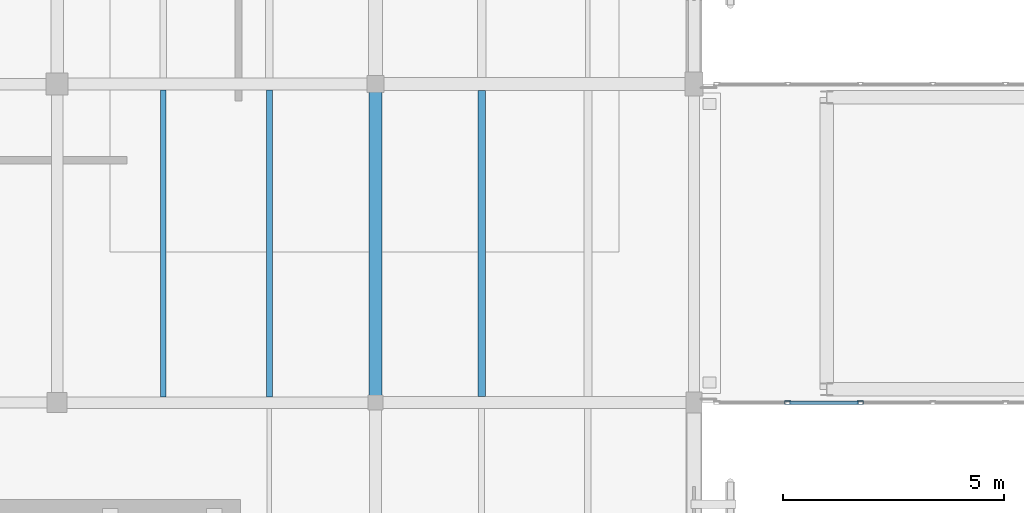
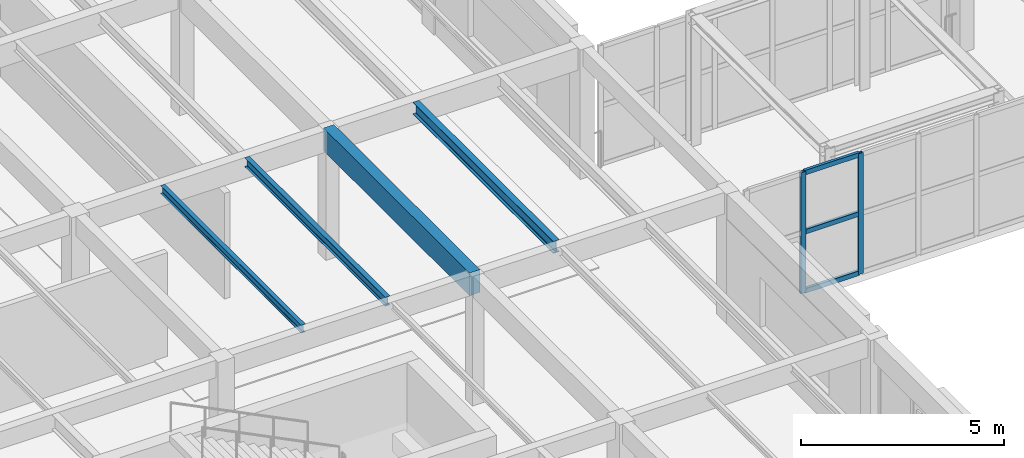
# One storey, part 20 of 217: 5 members, 4 beams, 1 element without a shape of its own.
"""IFC4 building model written with IfcOpenShell, lengths in metres."""

from ifc_helpers import new_model, si_unit, direction, frame, origin, origin_2d, place, context, subcontext, project, spatial, rectangle, hollow_rectangle, i_section, extrude, material, layer, layer_set, material_profile, profile_set, type_object, element, aggregate, save


model = new_model("IFC4")

# Units and contexts
model_context = context("Model", 3, precision=1e-05, world=origin(), true_north=direction((0.0, 1.0)))
body_context = subcontext(model_context, "Body", "Model", "MODEL_VIEW")
ifc_project = project(units=[si_unit("LENGTHUNIT", "METRE"), si_unit("AREAUNIT", "SQUARE_METRE"), si_unit("VOLUMEUNIT", "CUBIC_METRE"), si_unit("PLANEANGLEUNIT", "RADIAN"), si_unit("MASSUNIT", "GRAM", prefix="KILO")], contexts=[model_context])

# Site, building, storey
site_placement = place(None, origin())
site = spatial("IfcSite", under=ifc_project, at=site_placement, CompositionType="ELEMENT")
building_placement = place(site_placement, origin())
building = spatial("IfcBuilding", under=site, at=building_placement, Name="Mazaris Harbour Polytechnic", CompositionType="ELEMENT")
storey_placement = place(building_placement, frame((0.0, 0.0, 9.60009765625)))
storey = spatial("IfcBuildingStorey", under=building, at=storey_placement, Name="L02", CompositionType="ELEMENT", Elevation=9.60009765625)

# Curtain wall, members
ifc_material_1 = material(Name="Anodised Bronze Aluminium and Low-E Glass", Category="aluminium")
ifc_layer = layer(ifc_material_1, 0.139892578125, Name="Anodised Bronze Aluminium and Low-E Glass")
ifc_layer_set = layer_set([ifc_layer], Name="Anodised Bronze Aluminium and Low-E Glass")
curtain_wall_type = type_object("IfcCurtainWallType", Name="Seismic Link Bridge Glazing", PredefinedType="NOTDEFINED", material=ifc_layer_set)
curtain_wall_placement = place(storey_placement, origin())
curtain_wall = element("IfcCurtainWall", 1, at=curtain_wall_placement, inside=storey, type_object=curtain_wall_type, Name="PB-W1 L02 Bridge Glazing", PredefinedType="NOTDEFINED")
ifc_material_2 = material(Name="Anodised Bronze Steel S355", Category="steel")
ifc_material_profile_1 = material_profile(ifc_material_2, hollow_rectangle(XDim=0.080078125, YDim=0.139892578125, WallThickness=0.00634765625, at=origin_2d()), Name="RHS 80x140x6.3")
ifc_profile_set_1 = profile_set([ifc_material_profile_1], Name="Anodised Bronze Steel S355")
member_type_1 = type_object("IfcMemberType", Name="Curtain Mullion RHS80x140", PredefinedType="MULLION", material=ifc_profile_set_1)
member_1_placement = place(storey_placement, frame((45.320068359375, 21.60009765625, 0.0), z_axis=(0.0, 0.0, 1.0), x_axis=(0.0, 1.0, 0.0)))
member_1 = element("IfcMember", 2, at=member_1_placement, type_object=member_type_1, Name="CW-05 mullion 2", PredefinedType="MULLION", context=body_context, shape_type="SweptSolid", body=[
    extrude(hollow_rectangle(XDim=0.080078125, YDim=0.139892578125, WallThickness=0.00634765625, at=origin_2d()), origin(), (0.0, 0.0, 1.0), 3.635009765625),
])
member_2_placement = place(storey_placement, frame((46.9599609375, 21.60009765625, 0.0), z_axis=(0.0, 0.0, 1.0), x_axis=(0.0, 1.0, 0.0)))
member_2 = element("IfcMember", 3, at=member_2_placement, type_object=member_type_1, Name="CW-05 mullion 3", PredefinedType="MULLION", context=body_context, shape_type="SweptSolid", body=[
    extrude(hollow_rectangle(XDim=0.080078125, YDim=0.139892578125, WallThickness=0.00634765625, at=origin_2d()), origin(), (0.0, 0.0, 1.0), 3.635009765625),
])
ifc_material_3 = material(Name="Anodised Bronze Steel S355", Category="steel")
ifc_material_profile_2 = material_profile(ifc_material_3, hollow_rectangle(XDim=0.080078125, YDim=0.139892578125, WallThickness=0.00634765625, at=origin_2d()), Name="RHS 80x140x6.3")
ifc_profile_set_2 = profile_set([ifc_material_profile_2], Name="Anodised Bronze Steel S355")
member_type_2 = type_object("IfcMemberType", Name="Curtain Transom RHS80x140", PredefinedType="USERDEFINED", material=ifc_profile_set_2)
member_3_placement = place(storey_placement, frame((45.360107421875, 21.60009765625, 0.039794921875), z_axis=(1.0, 0.0, 0.0), x_axis=(0.0, 1.0, 0.0)))
member_3 = element("IfcMember", 4, at=member_3_placement, type_object=member_type_2, Name="CW-05 transom 2.1", ObjectType="TRANSOM", PredefinedType="USERDEFINED", context=body_context, shape_type="SweptSolid", body=[
    extrude(hollow_rectangle(XDim=0.080078125, YDim=0.139892578125, WallThickness=0.00634765625, at=origin_2d()), origin(), (0.0, 0.0, 1.0), 1.559814453125),
])
member_4_placement = place(storey_placement, frame((45.360107421875, 21.60009765625, 1.8173828125), z_axis=(1.0, 0.0, 0.0), x_axis=(0.0, 1.0, 0.0)))
member_4 = element("IfcMember", 5, at=member_4_placement, type_object=member_type_2, Name="CW-05 transom 2.2", ObjectType="TRANSOM", PredefinedType="USERDEFINED", context=body_context, shape_type="SweptSolid", body=[
    extrude(hollow_rectangle(XDim=0.080078125, YDim=0.139892578125, WallThickness=0.00634765625, at=origin_2d()), origin(), (0.0, 0.0, 1.0), 1.559814453125),
])
member_5_placement = place(storey_placement, frame((45.360107421875, 21.60009765625, 3.594970703125), z_axis=(1.0, 0.0, 0.0), x_axis=(0.0, 1.0, 0.0)))
member_5 = element("IfcMember", 6, at=member_5_placement, type_object=member_type_2, Name="CW-05 transom 2.3", ObjectType="TRANSOM", PredefinedType="USERDEFINED", context=body_context, shape_type="SweptSolid", body=[
    extrude(hollow_rectangle(XDim=0.080078125, YDim=0.139892578125, WallThickness=0.00634765625, at=origin_2d()), origin(), (0.0, 0.0, 1.0), 1.559814453125),
])
aggregate(curtain_wall, [member_1, member_2, member_3, member_4, member_5])

# Beams
ifc_material_4 = material(Name="Glulam GL32h", Category="wood")
ifc_material_profile_3 = material_profile(ifc_material_4, rectangle(XDim=0.300048828125, YDim=0.679931640625, at=origin_2d()), Name="RECT300x680")
ifc_profile_set_3 = profile_set([ifc_material_profile_3], Name="Glulam GL32h")
beam_type_1 = type_object("IfcBeamType", Name="Glulam Girder 300x680", PredefinedType="BEAM", material=ifc_profile_set_3)
beam_1_placement = place(storey_placement, frame((36.0, 21.60009765625, 3.5498046875), z_axis=(0.0, 1.0, 0.0), x_axis=(-1.0, 0.0, 0.0)))
element("IfcBeam", 7, at=beam_1_placement, inside=storey, type_object=beam_type_1, Name="V4 L02 Tie Girder 2023", PredefinedType="BEAM", context=body_context, shape_type="SweptSolid", body=[
    extrude(rectangle(XDim=0.300048828125, YDim=0.679931640625, at=origin_2d()), origin(), (0.0, 0.0, 1.0), 7.199951171875),
])
ifc_material_5 = material(Name="Steel S355", Category="steel")
ifc_material_profile_4 = material_profile(ifc_material_5, i_section(OverallWidth=0.1201171875, OverallDepth=0.239990234375, WebThickness=0.006103515625, FlangeThickness=0.009765625, FilletRadius=0.014892578125, at=origin_2d()), Name="IPE 240")
ifc_profile_set_4 = profile_set([ifc_material_profile_4], Name="Steel S355")
beam_type_2 = type_object("IfcBeamType", Name="Steel Joist IPE240", PredefinedType="JOIST", material=ifc_profile_set_4)
beam_2_placement = place(storey_placement, frame((31.199951171875, 21.72998046875, 3.77001953125), z_axis=(0.0, 1.0, 0.0), x_axis=(-1.0, 0.0, 0.0)))
element("IfcBeam", 8, at=beam_2_placement, inside=storey, type_object=beam_type_2, Name="V4 L02 Floor Joist 2122", PredefinedType="JOIST", context=body_context, shape_type="SweptSolid", body=[
    extrude(i_section(OverallWidth=0.1201171875, OverallDepth=0.239990234375, WebThickness=0.006103515625, FlangeThickness=0.009765625, FilletRadius=0.014892578125, at=origin_2d()), origin(), (0.0, 0.0, 1.0), 6.929931640625),
])
ifc_material_6 = material(Name="Steel S355", Category="steel")
ifc_material_profile_5 = material_profile(ifc_material_6, i_section(OverallWidth=0.135009765625, OverallDepth=0.27001953125, WebThickness=0.006591796875, FlangeThickness=0.01025390625, FilletRadius=0.014892578125, at=origin_2d()), Name="IPE 270")
ifc_profile_set_5 = profile_set([ifc_material_profile_5], Name="Steel S355")
beam_type_3 = type_object("IfcBeamType", Name="Steel Joist IPE270", PredefinedType="JOIST", material=ifc_profile_set_5)
beam_3_placement = place(storey_placement, frame((33.60009765625, 21.72998046875, 3.7548828125), z_axis=(0.0, 1.0, 0.0), x_axis=(-1.0, 0.0, 0.0)))
element("IfcBeam", 9, at=beam_3_placement, inside=storey, type_object=beam_type_3, Name="V4 L02 Floor Joist 2123", PredefinedType="JOIST", context=body_context, shape_type="SweptSolid", body=[
    extrude(i_section(OverallWidth=0.135009765625, OverallDepth=0.27001953125, WebThickness=0.006591796875, FlangeThickness=0.01025390625, FilletRadius=0.014892578125, at=origin_2d()), origin(), (0.0, 0.0, 1.0), 6.929931640625),
])
ifc_material_7 = material(Name="Steel S355", Category="steel")
ifc_material_profile_6 = material_profile(ifc_material_7, i_section(OverallWidth=0.169921875, OverallDepth=0.360107421875, WebThickness=0.008056640625, FlangeThickness=0.0126953125, FilletRadius=0.01806640625, at=origin_2d()), Name="IPE 360")
ifc_profile_set_6 = profile_set([ifc_material_profile_6], Name="Steel S355")
beam_type_4 = type_object("IfcBeamType", Name="Steel Joist IPE360", PredefinedType="JOIST", material=ifc_profile_set_6)
beam_4_placement = place(storey_placement, frame((38.39990234375, 21.739990234375, 3.7099609375), z_axis=(0.0, 1.0, 0.0), x_axis=(-1.0, 0.0, 0.0)))
element("IfcBeam", 10, at=beam_4_placement, inside=storey, type_object=beam_type_4, Name="V4 L02 Floor Joist 2146", PredefinedType="JOIST", context=body_context, shape_type="SweptSolid", body=[
    extrude(i_section(OverallWidth=0.169921875, OverallDepth=0.360107421875, WebThickness=0.008056640625, FlangeThickness=0.0126953125, FilletRadius=0.01806640625, at=origin_2d()), origin(), (0.0, 0.0, 1.0), 6.909912109375),
])

save(model, "model.ifc")
